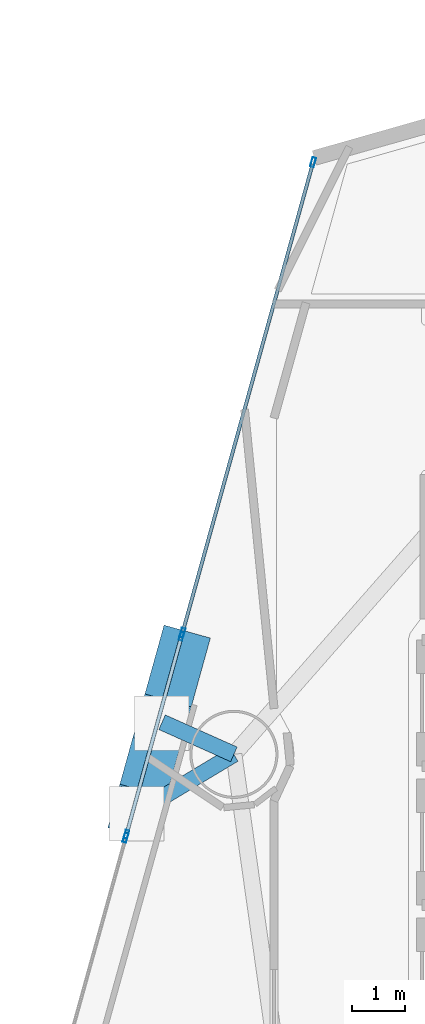
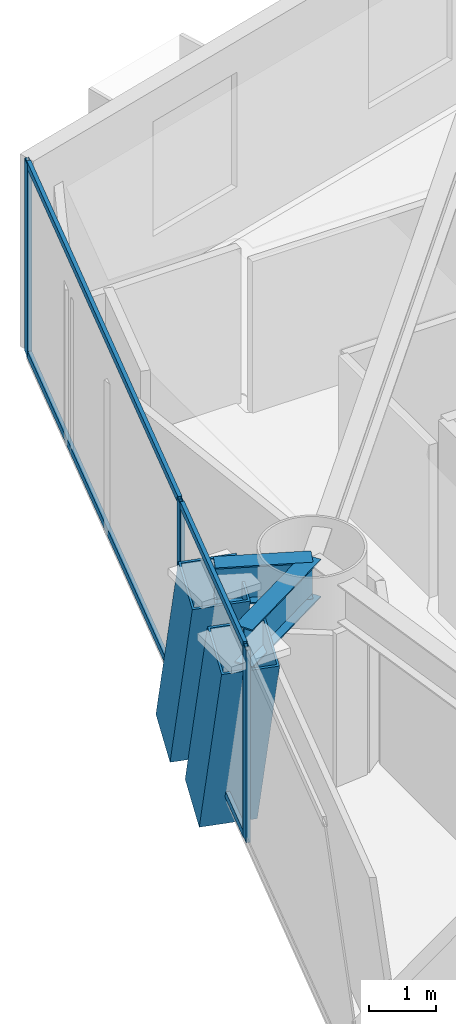
# One storey, part 8 of 23: 11 members, 2 beams, 3 elements without a shape of their own.
"""IFC4 building model written with IfcOpenShell, lengths in metres."""

from ifc_helpers import new_model, si_unit, direction, frame, origin, origin_2d, place, context, subcontext, project, spatial, hollow_rectangle, i_section, extrude, material, layer, layer_set, material_profile, profile_set, type_object, element, aggregate, save


model = new_model("IFC4")

# Units and contexts
model_context = context("Model", 3, precision=1e-05, world=origin(), true_north=direction((0.0, 1.0)))
body_context = subcontext(model_context, "Body", "Model", "MODEL_VIEW")
ifc_project = project(units=[si_unit("LENGTHUNIT", "METRE"), si_unit("AREAUNIT", "SQUARE_METRE"), si_unit("VOLUMEUNIT", "CUBIC_METRE"), si_unit("PLANEANGLEUNIT", "RADIAN"), si_unit("MASSUNIT", "GRAM", prefix="KILO")], contexts=[model_context])

# Site, building, storey
site_placement = place(None, origin())
site = spatial("IfcSite", under=ifc_project, at=site_placement, CompositionType="ELEMENT")
building_placement = place(site_placement, origin())
building = spatial("IfcBuilding", under=site, at=building_placement, Name="Qianvela Tower", CompositionType="ELEMENT")
storey_placement = place(building_placement, frame((0.0, 0.0, 78.39990234375)))
storey = spatial("IfcBuildingStorey", under=building, at=storey_placement, Name="L19", CompositionType="ELEMENT", Elevation=78.39990234375)

# Beams
ifc_material_1 = material(Name="Steel Q355B", Category="steel")
ifc_material_profile_1 = material_profile(ifc_material_1, i_section(OverallWidth=0.300048828125, OverallDepth=0.699951171875, WebThickness=0.012939453125, FlangeThickness=0.02392578125, at=origin_2d()), Name="HN700x300x13x24")
ifc_profile_set_1 = profile_set([ifc_material_profile_1], Name="Steel Q355B")
beam_type = type_object("IfcBeamType", Name="BM-HN700-SPAND", PredefinedType="SPANDREL", material=ifc_profile_set_1)
beam_1_placement = place(storey_placement, frame((22.8291015625, 30.340087890625, 3.168212890625), z_axis=(-0.912797113208, 0.408413307961, 0.0), x_axis=(-0.408413307961, -0.912797113208, 0.0)))
element("IfcBeam", 1, at=beam_1_placement, inside=storey, type_object=beam_type, Name="L19 Mega-Brace Column Tie Bracket F2-1", PredefinedType="SPANDREL", context=body_context, shape_type="SweptSolid", body=[
    extrude(i_section(OverallWidth=0.300048828125, OverallDepth=0.699951171875, WebThickness=0.012939453125, FlangeThickness=0.02392578125, at=origin_2d()), origin(), (0.0, 0.0, 1.0), 1.472900390625),
])
beam_2_placement = place(storey_placement, frame((22.8291015625, 30.340087890625, 3.168212890625), z_axis=(-0.857686441499, -0.514173091545, 0.0), x_axis=(0.514173091545, -0.857686441499, 0.0)))
element("IfcBeam", 2, at=beam_2_placement, inside=storey, type_object=beam_type, Name="L19 Mega-Brace Column Tie Bracket F2-2", PredefinedType="SPANDREL", context=body_context, shape_type="SweptSolid", body=[
    extrude(i_section(OverallWidth=0.300048828125, OverallDepth=0.699951171875, WebThickness=0.012939453125, FlangeThickness=0.02392578125, at=origin_2d()), origin(), (0.0, 0.0, 1.0), 2.114501953125),
])

# Curtain wall, members
ifc_material_2 = material(Name="Anodised Architectural Aluminium and Insulated Spandrel Panel", Category="aluminium")
ifc_layer_1 = layer(ifc_material_2, 0.179931640625)
ifc_layer_set_1 = layer_set([ifc_layer_1], Name="Anodised Architectural Aluminium and Insulated Spandrel Panel")
curtain_wall_type_1 = type_object("IfcCurtainWallType", Name="CW-BRACEBAY", PredefinedType="USERDEFINED", material=ifc_layer_set_1)
curtain_wall_1_placement = place(storey_placement, origin())
curtain_wall_1 = element("IfcCurtainWall", 3, at=curtain_wall_1_placement, inside=storey, type_object=curtain_wall_type_1, Name="L19 CW-BRACEBAY Curtain Wall 04B", ObjectType="CURTAIN_WALL_SYSTEM", PredefinedType="USERDEFINED")
ifc_material_3 = material(Name="Anodised Architectural Aluminium 6063-T6", Category="aluminium")
ifc_material_profile_2 = material_profile(ifc_material_3, hollow_rectangle(XDim=0.06494140625, YDim=0.159912109375, WallThickness=0.0048828125, at=origin_2d()), Name="ALU-MULL-65x160")
ifc_profile_set_2 = profile_set([ifc_material_profile_2], Name="Anodised Architectural Aluminium 6063-T6")
member_type_1 = type_object("IfcMemberType", Name="CW-BRACEBAY-MULL", PredefinedType="MULLION", material=ifc_profile_set_2)
member_1_placement = place(storey_placement, frame((21.84814453125, 32.5498046875, 0.0), z_axis=(0.0, 0.0, 1.0), x_axis=(0.963537693332, -0.267572632248, 0.0)))
member_1 = element("IfcMember", 4, at=member_1_placement, type_object=member_type_1, Name="CW-9 mullion 1", PredefinedType="MULLION", context=body_context, shape_type="SweptSolid", body=[
    extrude(hollow_rectangle(XDim=0.06494140625, YDim=0.159912109375, WallThickness=0.0048828125, at=origin_2d()), origin(), (0.0, 0.0, 1.0), 3.52001953125),
])
member_2_placement = place(storey_placement, frame((20.8193359375, 28.844970703125, 0.0), z_axis=(0.0, 0.0, 1.0), x_axis=(0.963537693332, -0.267572632248, 0.0)))
member_2 = element("IfcMember", 5, at=member_2_placement, type_object=member_type_1, Name="CW-9 mullion 2", PredefinedType="MULLION", context=body_context, shape_type="SweptSolid", body=[
    extrude(hollow_rectangle(XDim=0.06494140625, YDim=0.159912109375, WallThickness=0.0048828125, at=origin_2d()), origin(), (0.0, 0.0, 1.0), 3.52001953125),
])
ifc_material_4 = material(Name="Anodised Architectural Aluminium 6063-T6", Category="aluminium")
ifc_material_profile_3 = material_profile(ifc_material_4, hollow_rectangle(XDim=0.06494140625, YDim=0.1298828125, WallThickness=0.00439453125, at=origin_2d()), Name="ALU-TRAN-65x130")
ifc_profile_set_3 = profile_set([ifc_material_profile_3], Name="Anodised Architectural Aluminium 6063-T6")
member_type_2 = type_object("IfcMemberType", Name="CW-BRACEBAY-TRAN", PredefinedType="USERDEFINED", material=ifc_profile_set_3)
member_3_placement = place(storey_placement, frame((21.83935546875, 32.5185546875, 0.03271484375), z_axis=(-0.267573911875, -0.963537337981, 0.0), x_axis=(0.963537337981, -0.267573911875, 0.0)))
member_3 = element("IfcMember", 6, at=member_3_placement, type_object=member_type_2, Name="CW-9 transom 1.1", ObjectType="TRANSOM", PredefinedType="USERDEFINED", context=body_context, shape_type="SweptSolid", body=[
    extrude(hollow_rectangle(XDim=0.06494140625, YDim=0.1298828125, WallThickness=0.00439453125, at=origin_2d()), origin(), (0.0, 0.0, 1.0), 3.7802734375),
])
member_4_placement = place(storey_placement, frame((21.83935546875, 32.5185546875, 3.487548828125), z_axis=(-0.267573911875, -0.963537337981, 0.0), x_axis=(0.963537337981, -0.267573911875, 0.0)))
member_4 = element("IfcMember", 7, at=member_4_placement, type_object=member_type_2, Name="CW-9 transom 1.2", ObjectType="TRANSOM", PredefinedType="USERDEFINED", context=body_context, shape_type="SweptSolid", body=[
    extrude(hollow_rectangle(XDim=0.06494140625, YDim=0.1298828125, WallThickness=0.00439453125, at=origin_2d()), origin(), (0.0, 0.0, 1.0), 3.7802734375),
])
aggregate(curtain_wall_1, [member_1, member_2, member_3, member_4])

ifc_material_5 = material(Name="Anodised Architectural Aluminium and Low-E Glass", Category="aluminium")
ifc_layer_2 = layer(ifc_material_5, 0.179931640625)
ifc_layer_set_2 = layer_set([ifc_layer_2], Name="Anodised Architectural Aluminium and Low-E Glass")
curtain_wall_type_2 = type_object("IfcCurtainWallType", Name="CW-COLIV-Z12", PredefinedType="USERDEFINED", material=ifc_layer_set_2)
curtain_wall_2_placement = place(storey_placement, origin())
curtain_wall_2 = element("IfcCurtainWall", 8, at=curtain_wall_2_placement, inside=storey, type_object=curtain_wall_type_2, Name="L19 CW-COLIV-Z12 Curtain Wall 04A", ObjectType="CURTAIN_WALL_SYSTEM", PredefinedType="USERDEFINED")
ifc_material_6 = material(Name="Anodised Architectural Aluminium 6063-T6", Category="aluminium")
ifc_material_profile_4 = material_profile(ifc_material_6, hollow_rectangle(XDim=0.070068359375, YDim=0.179931640625, WallThickness=0.0048828125, at=origin_2d()), Name="ALU-MULL-70x180")
ifc_profile_set_4 = profile_set([ifc_material_profile_4], Name="Anodised Architectural Aluminium 6063-T6")
member_type_3 = type_object("IfcMemberType", Name="CW-COLIV-Z12-MULL", PredefinedType="MULLION", material=ifc_profile_set_4)
member_5_placement = place(storey_placement, frame((24.311767578125, 41.421630859375, 0.0), z_axis=(0.0, 0.0, 1.0), x_axis=(0.963539062136, -0.267567703092, 0.0)))
member_5 = element("IfcMember", 9, at=member_5_placement, type_object=member_type_3, Name="CW-3 mullion 1", PredefinedType="MULLION", context=body_context, shape_type="SweptSolid", body=[
    extrude(hollow_rectangle(XDim=0.070068359375, YDim=0.179931640625, WallThickness=0.0048828125, at=origin_2d()), origin(), (0.0, 0.0, 1.0), 3.52001953125),
])
member_6_placement = place(storey_placement, frame((21.8662109375, 32.61474609375, 0.0), z_axis=(0.0, 0.0, 1.0), x_axis=(0.963539062136, -0.267567703092, 0.0)))
member_6 = element("IfcMember", 10, at=member_6_placement, type_object=member_type_3, Name="CW-3 mullion 2", PredefinedType="MULLION", context=body_context, shape_type="SweptSolid", body=[
    extrude(hollow_rectangle(XDim=0.070068359375, YDim=0.179931640625, WallThickness=0.0048828125, at=origin_2d()), origin(), (0.0, 0.0, 1.0), 3.52001953125),
])

# Curtain wall, member
curtain_wall_3_placement = place(storey_placement, origin())
curtain_wall_3 = element("IfcCurtainWall", 11, at=curtain_wall_3_placement, inside=storey, type_object=curtain_wall_type_2, Name="L19 CW-COLIV-Z12 Curtain Wall 04C", ObjectType="CURTAIN_WALL_SYSTEM", PredefinedType="USERDEFINED")
member_7_placement = place(storey_placement, frame((20.80126953125, 28.780029296875, 0.0), z_axis=(0.0, 0.0, 1.0), x_axis=(0.96353758396, -0.2675730261, 0.0)))
member_7 = element("IfcMember", 12, at=member_7_placement, type_object=member_type_3, Name="CW-3 mullion 1", PredefinedType="MULLION", context=body_context, shape_type="SweptSolid", body=[
    extrude(hollow_rectangle(XDim=0.070068359375, YDim=0.179931640625, WallThickness=0.0048828125, at=origin_2d()), origin(), (0.0, 0.0, 1.0), 3.52001953125),
])
aggregate(curtain_wall_3, [member_7])

# Member
ifc_material_7 = material(Name="Anodised Architectural Aluminium 6063-T6", Category="aluminium")
ifc_material_profile_5 = material_profile(ifc_material_7, hollow_rectangle(XDim=0.06494140625, YDim=0.1298828125, WallThickness=0.00439453125, at=origin_2d()), Name="ALU-TRAN-65x130")
ifc_profile_set_5 = profile_set([ifc_material_profile_5], Name="Anodised Architectural Aluminium 6063-T6")
member_type_4 = type_object("IfcMemberType", Name="CW-COLIV-Z12-TRAN", PredefinedType="USERDEFINED", material=ifc_profile_set_5)
member_8_placement = place(storey_placement, frame((24.302490234375, 41.387939453125, 0.03271484375), z_axis=(-0.267578615314, -0.963536031826, 0.0), x_axis=(0.963536031826, -0.267578615314, 0.0)))
member_8 = element("IfcMember", 13, at=member_8_placement, type_object=member_type_4, Name="CW-3 transom 1.1", ObjectType="TRANSOM", PredefinedType="USERDEFINED", context=body_context, shape_type="SweptSolid", body=[
    extrude(hollow_rectangle(XDim=0.06494140625, YDim=0.1298828125, WallThickness=0.00439453125, at=origin_2d()), origin(), (0.0, 0.0, 1.0), 9.0703125),
])

member_9_placement = place(storey_placement, frame((24.302490234375, 41.387939453125, 3.487548828125), z_axis=(-0.267578615314, -0.963536031826, 0.0), x_axis=(0.963536031826, -0.267578615314, 0.0)))
member_9 = element("IfcMember", 14, at=member_9_placement, type_object=member_type_4, Name="CW-3 transom 1.2", ObjectType="TRANSOM", PredefinedType="USERDEFINED", context=body_context, shape_type="SweptSolid", body=[
    extrude(hollow_rectangle(XDim=0.06494140625, YDim=0.1298828125, WallThickness=0.00439453125, at=origin_2d()), origin(), (0.0, 0.0, 1.0), 9.0703125),
])

aggregate(curtain_wall_2, [member_5, member_6, member_8, member_9])

# Members
ifc_material_8 = material(Name="Steel Q420GJC", Category="steel")
ifc_material_profile_6 = material_profile(ifc_material_8, hollow_rectangle(XDim=0.89990234375, YDim=0.89990234375, WallThickness=0.035888671875, at=origin_2d()), Name="MBOX-900x900x36")
ifc_profile_set_6 = profile_set([ifc_material_profile_6], Name="Steel Q420GJC")
member_type_5 = type_object("IfcMemberType", Name="MBR-MBRACE-900", PredefinedType="BRACE", material=ifc_profile_set_6)
member_10_placement = place(storey_placement, frame((21.84228515625, 32.23046875, -0.531982421875), z_axis=(-0.090904684456, -0.327567118939, 0.940444640015), x_axis=(0.963583257461, -0.267408500129, 0.0)))
element("IfcMember", 15, at=member_10_placement, inside=storey, type_object=member_type_5, Name="L19 Tier 3 Exterior Mega-Brace F2A", PredefinedType="BRACE", context=body_context, shape_type="SweptSolid", body=[
    extrude(hollow_rectangle(XDim=0.89990234375, YDim=0.89990234375, WallThickness=0.035888671875, at=origin_2d()), origin(), (0.0, 0.0, 1.0), 3.9345703125),
])
member_11_placement = place(storey_placement, frame((21.37353515625, 30.542236328125, -0.531982421875), z_axis=(-0.09096252378, -0.327676049169, 0.940401098505), x_axis=(0.963562334619, -0.267483882324, 0.0)))
element("IfcMember", 16, at=member_11_placement, inside=storey, type_object=member_type_5, Name="L19 Tier 3 Exterior Mega-Brace F2B", PredefinedType="BRACE", context=body_context, shape_type="SweptSolid", body=[
    extrude(hollow_rectangle(XDim=0.89990234375, YDim=0.89990234375, WallThickness=0.035888671875, at=origin_2d()), origin(), (0.0, 0.0, 1.0), 3.934814453125),
])

save(model, "model.ifc")
